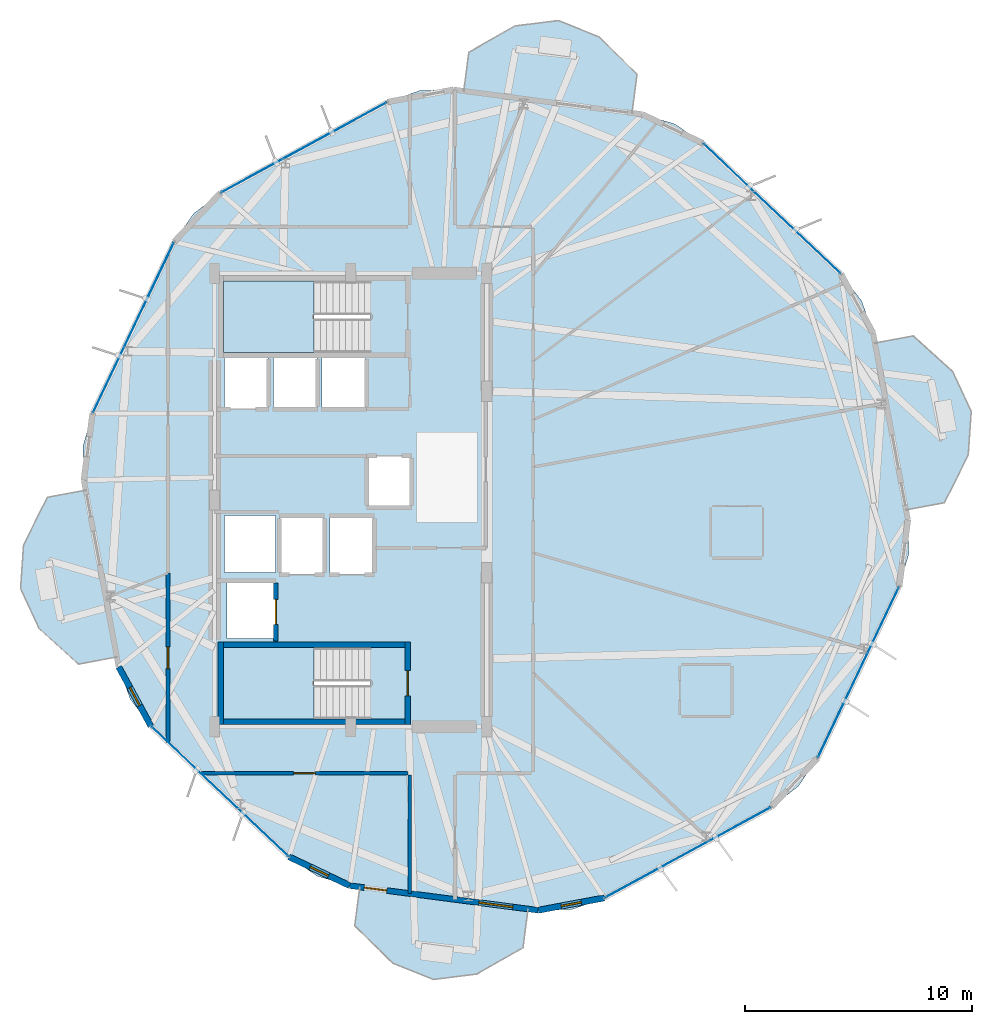
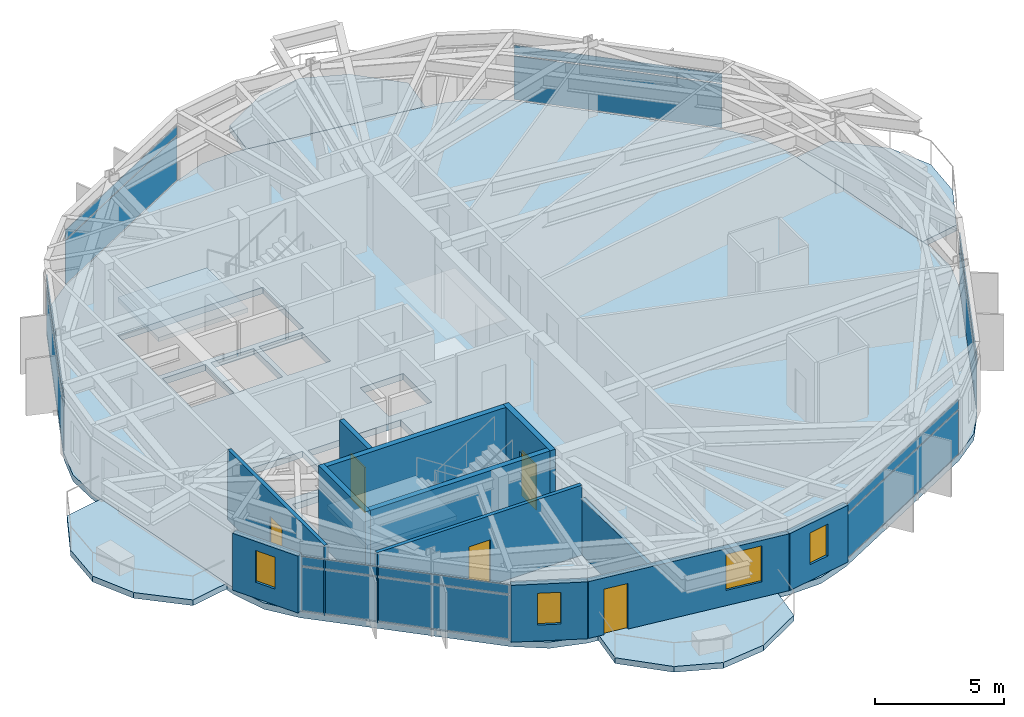
# One storey, part 17 of 23: 12 plates, 12 walls, 7 slabs, 5 doors, 4 windows, 9 openings, 8 elements without a shape of their own.
"""IFC4 building model written with IfcOpenShell, lengths in metres."""

from ifc_helpers import new_model, si_unit, direction, frame, frame_2d, origin, origin_2d, place, context, subcontext, project, spatial, polyline, rectangle, outline, extrude, material, layer, layer_set, type_object, element, fill, aggregate, save


model = new_model("IFC4")

# Units and contexts
model_context = context("Model", 3, precision=1e-05, world=origin(), true_north=direction((0.0, 1.0)))
body_context = subcontext(model_context, "Body", "Model", "MODEL_VIEW")
ifc_project = project(units=[si_unit("LENGTHUNIT", "METRE"), si_unit("AREAUNIT", "SQUARE_METRE"), si_unit("VOLUMEUNIT", "CUBIC_METRE"), si_unit("PLANEANGLEUNIT", "RADIAN"), si_unit("MASSUNIT", "GRAM", prefix="KILO")], contexts=[model_context])

# Site, building, storey
site_placement = place(None, origin())
site = spatial("IfcSite", under=ifc_project, at=site_placement, CompositionType="ELEMENT")
building_placement = place(site_placement, origin())
building = spatial("IfcBuilding", under=site, at=building_placement, Name="Soratama Intermodal Tower", CompositionType="ELEMENT")
storey_placement = place(building_placement, frame((0.0, 0.0, 139.0)))
storey = spatial("IfcBuildingStorey", under=building, at=storey_placement, Name="L33", CompositionType="ELEMENT", Elevation=139.0)

# Curtain wall, plates
ifc_material_1 = material(Name="Double-glazed aluminium curtain wall", Category="aluminium")
ifc_layer_1 = layer(ifc_material_1, 0.159912109375)
ifc_layer_set_1 = layer_set([ifc_layer_1], Name="Double-glazed aluminium curtain wall")
curtain_wall_type = type_object("IfcCurtainWallType", Name="CW-SYS-4", PredefinedType="NOTDEFINED", material=ifc_layer_set_1)
curtain_wall_1_placement = place(storey_placement, origin())
curtain_wall_1 = element("IfcCurtainWall", 1, at=curtain_wall_1_placement, inside=storey, type_object=curtain_wall_type, Name="L33 Faceted Curtain Wall F01", PredefinedType="NOTDEFINED")
ifc_material_2 = material(Name="Low-E laminated double glazing", Category="glass")
ifc_layer_2 = layer(ifc_material_2, 0.02392578125)
ifc_layer_set_2 = layer_set([ifc_layer_2], Name="Low-E laminated double glazing")
plate_type = type_object("IfcPlateType", Name="PT-CWP-4", PredefinedType="CURTAIN_PANEL", material=ifc_layer_set_2)
plate_1_placement = place(storey_placement, frame((57.163330078125, 37.84423828125, 0.06005859375), z_axis=(0.0, 0.0, 1.0), x_axis=(-0.726095406598, 0.687593964864, 0.0)))
plate_1 = element("IfcPlate", 2, at=plate_1_placement, type_object=plate_type, Name="CW-4 panel 1.1", PredefinedType="CURTAIN_PANEL", context=body_context, shape_type="SweptSolid", body=[
    extrude(rectangle(XDim=8.25634765625, YDim=0.028076171875, at=origin_2d()), origin(), (0.0, 0.0, 1.0), 2.06005859375),
])
plate_2_placement = place(storey_placement, frame((57.163330078125, 37.84423828125, 2.179931640625), z_axis=(0.0, 0.0, 1.0), x_axis=(-0.726095406598, 0.687593964864, 0.0)))
plate_2 = element("IfcPlate", 3, at=plate_2_placement, type_object=plate_type, Name="CW-4 panel 1.2", PredefinedType="CURTAIN_PANEL", context=body_context, shape_type="SweptSolid", body=[
    extrude(rectangle(XDim=8.25634765625, YDim=0.028076171875, at=origin_2d()), origin(), (0.0, 0.0, 1.0), 0.43896484375),
])
aggregate(curtain_wall_1, [plate_1, plate_2])

curtain_wall_2_placement = place(storey_placement, origin())
curtain_wall_2 = element("IfcCurtainWall", 4, at=curtain_wall_2_placement, inside=storey, type_object=curtain_wall_type, Name="L33 Faceted Curtain Wall F03", PredefinedType="NOTDEFINED")
plate_3_placement = place(storey_placement, frame((36.54296875, 40.537109375, 0.06005859375), z_axis=(0.0, 0.0, 1.0), x_axis=(-0.878314533912, -0.478083234928, 0.0)))
plate_3 = element("IfcPlate", 5, at=plate_3_placement, type_object=plate_type, Name="CW-4 panel 1.1", PredefinedType="CURTAIN_PANEL", context=body_context, shape_type="SweptSolid", body=[
    extrude(rectangle(XDim=8.256103515625, YDim=0.028076171875, at=origin_2d()), origin(), (0.0, 0.0, 1.0), 2.06005859375),
])
plate_4_placement = place(storey_placement, frame((36.54296875, 40.537109375, 2.179931640625), z_axis=(0.0, 0.0, 1.0), x_axis=(-0.878314533912, -0.478083234928, 0.0)))
plate_4 = element("IfcPlate", 6, at=plate_4_placement, type_object=plate_type, Name="CW-4 panel 1.2", PredefinedType="CURTAIN_PANEL", context=body_context, shape_type="SweptSolid", body=[
    extrude(rectangle(XDim=8.256103515625, YDim=0.028076171875, at=origin_2d()), origin(), (0.0, 0.0, 1.0), 0.43896484375),
])
aggregate(curtain_wall_2, [plate_3, plate_4])

curtain_wall_3_placement = place(storey_placement, origin())
curtain_wall_3 = element("IfcCurtainWall", 7, at=curtain_wall_3_placement, inside=storey, type_object=curtain_wall_type, Name="L33 Faceted Curtain Wall F04", PredefinedType="NOTDEFINED")
plate_5_placement = place(storey_placement, frame((29.025634765625, 32.598876953125, 0.06005859375), z_axis=(0.0, 0.0, 1.0), x_axis=(-0.429563270658, -0.903036763649, 0.0)))
plate_5 = element("IfcPlate", 8, at=plate_5_placement, type_object=plate_type, Name="CW-4 panel 1.1", PredefinedType="CURTAIN_PANEL", context=body_context, shape_type="SweptSolid", body=[
    extrude(rectangle(XDim=8.256103515625, YDim=0.028076171875, at=origin_2d()), origin(), (0.0, 0.0, 1.0), 2.06005859375),
])
plate_6_placement = place(storey_placement, frame((29.025634765625, 32.598876953125, 2.179931640625), z_axis=(0.0, 0.0, 1.0), x_axis=(-0.429563270658, -0.903036763649, 0.0)))
plate_6 = element("IfcPlate", 9, at=plate_6_placement, type_object=plate_type, Name="CW-4 panel 1.2", PredefinedType="CURTAIN_PANEL", context=body_context, shape_type="SweptSolid", body=[
    extrude(rectangle(XDim=8.256103515625, YDim=0.028076171875, at=origin_2d()), origin(), (0.0, 0.0, 1.0), 0.43896484375),
])
aggregate(curtain_wall_3, [plate_5, plate_6])

curtain_wall_4_placement = place(storey_placement, origin())
curtain_wall_4 = element("IfcCurtainWall", 10, at=curtain_wall_4_placement, inside=storey, type_object=curtain_wall_type, Name="L33 Faceted Curtain Wall F06", PredefinedType="NOTDEFINED")
plate_7_placement = place(storey_placement, frame((32.836669921875, 12.15576171875, 0.06005859375), z_axis=(0.0, 0.0, 1.0), x_axis=(0.726095406598, -0.687593964864, 0.0)))
plate_7 = element("IfcPlate", 11, at=plate_7_placement, type_object=plate_type, Name="CW-4 panel 1.1", PredefinedType="CURTAIN_PANEL", context=body_context, shape_type="SweptSolid", body=[
    extrude(rectangle(XDim=8.25634765625, YDim=0.028076171875, at=origin_2d()), origin(), (0.0, 0.0, 1.0), 2.06005859375),
])
plate_8_placement = place(storey_placement, frame((32.836669921875, 12.15576171875, 2.179931640625), z_axis=(0.0, 0.0, 1.0), x_axis=(0.726095406598, -0.687593964864, 0.0)))
plate_8 = element("IfcPlate", 12, at=plate_8_placement, type_object=plate_type, Name="CW-4 panel 1.2", PredefinedType="CURTAIN_PANEL", context=body_context, shape_type="SweptSolid", body=[
    extrude(rectangle(XDim=8.25634765625, YDim=0.028076171875, at=origin_2d()), origin(), (0.0, 0.0, 1.0), 0.43896484375),
])
aggregate(curtain_wall_4, [plate_7, plate_8])

curtain_wall_5_placement = place(storey_placement, origin())
curtain_wall_5 = element("IfcCurtainWall", 13, at=curtain_wall_5_placement, inside=storey, type_object=curtain_wall_type, Name="L33 Faceted Curtain Wall F08", PredefinedType="NOTDEFINED")
plate_9_placement = place(storey_placement, frame((53.45703125, 9.462890625, 0.06005859375), z_axis=(0.0, 0.0, 1.0), x_axis=(0.878314533912, 0.478083234928, 0.0)))
plate_9 = element("IfcPlate", 14, at=plate_9_placement, type_object=plate_type, Name="CW-4 panel 1.1", PredefinedType="CURTAIN_PANEL", context=body_context, shape_type="SweptSolid", body=[
    extrude(rectangle(XDim=8.256103515625, YDim=0.028076171875, at=origin_2d()), origin(), (0.0, 0.0, 1.0), 2.06005859375),
])
plate_10_placement = place(storey_placement, frame((53.45703125, 9.462890625, 2.179931640625), z_axis=(0.0, 0.0, 1.0), x_axis=(0.878314533912, 0.478083234928, 0.0)))
plate_10 = element("IfcPlate", 15, at=plate_10_placement, type_object=plate_type, Name="CW-4 panel 1.2", PredefinedType="CURTAIN_PANEL", context=body_context, shape_type="SweptSolid", body=[
    extrude(rectangle(XDim=8.256103515625, YDim=0.028076171875, at=origin_2d()), origin(), (0.0, 0.0, 1.0), 0.43896484375),
])
aggregate(curtain_wall_5, [plate_9, plate_10])

curtain_wall_6_placement = place(storey_placement, origin())
curtain_wall_6 = element("IfcCurtainWall", 16, at=curtain_wall_6_placement, inside=storey, type_object=curtain_wall_type, Name="L33 Faceted Curtain Wall F09", PredefinedType="NOTDEFINED")
plate_11_placement = place(storey_placement, frame((60.974365234375, 17.401123046875, 0.06005859375), z_axis=(0.0, 0.0, 1.0), x_axis=(0.429563270658, 0.903036763649, 0.0)))
plate_11 = element("IfcPlate", 17, at=plate_11_placement, type_object=plate_type, Name="CW-4 panel 1.1", PredefinedType="CURTAIN_PANEL", context=body_context, shape_type="SweptSolid", body=[
    extrude(rectangle(XDim=8.256103515625, YDim=0.028076171875, at=origin_2d()), origin(), (0.0, 0.0, 1.0), 2.06005859375),
])
plate_12_placement = place(storey_placement, frame((60.974365234375, 17.401123046875, 2.179931640625), z_axis=(0.0, 0.0, 1.0), x_axis=(0.429563270658, 0.903036763649, 0.0)))
plate_12 = element("IfcPlate", 18, at=plate_12_placement, type_object=plate_type, Name="CW-4 panel 1.2", PredefinedType="CURTAIN_PANEL", context=body_context, shape_type="SweptSolid", body=[
    extrude(rectangle(XDim=8.256103515625, YDim=0.028076171875, at=origin_2d()), origin(), (0.0, 0.0, 1.0), 0.43896484375),
])
aggregate(curtain_wall_6, [plate_11, plate_12])

# Slabs
ifc_material_3 = material(Name="Concrete f'c 42 MPa", Category="concrete")
ifc_layer_3 = layer(ifc_material_3, 0.27001953125)
ifc_layer_set_3 = layer_set([ifc_layer_3], Name="Concrete f'c 42 MPa")
slab_type_1 = type_object("IfcSlabType", Name="SL-EXT-BAL1", PredefinedType="FLOOR", material=ifc_layer_set_3)
slab_1_placement = place(storey_placement, frame((0.0, 0.0, -0.27001953125)))
element("IfcSlab", 19, at=slab_1_placement, inside=storey, type_object=slab_type_1, Name="L33 Planted Balcony East 1", PredefinedType="FLOOR", context=body_context, shape_type="SweptSolid", body=[
    extrude(outline(polyline([(63.0751953125, 24.567138671875), (61.705078125, 31.916748046875), (63.395751953125, 32.23193359375), (65.129638671875, 30.65380859375), (65.94873046875, 28.9052734375), (65.814697265625, 26.97900390625), (64.76611328125, 24.88232421875), (63.0751953125, 24.567138671875)])), origin(), (0.0, 0.0, 1.0), 0.27001953125),
])
slab_2_placement = place(storey_placement, frame((0.0, 0.0, -0.27001953125)))
element("IfcSlab", 20, at=slab_2_placement, inside=storey, type_object=slab_type_1, Name="L33 Planted Balcony North 2", PredefinedType="FLOOR", context=body_context, shape_type="SweptSolid", body=[
    extrude(outline(polyline([(50.997314453125, 42.056640625), (43.583984375, 43.024658203125), (43.806640625, 44.730224609375), (45.84326171875, 45.8916015625), (47.75927734375, 46.130126953125), (49.5498046875, 45.407470703125), (51.219970703125, 43.76220703125), (50.997314453125, 42.056640625)])), origin(), (0.0, 0.0, 1.0), 0.27001953125),
])
slab_3_placement = place(storey_placement, frame((0.0, 0.0, -0.27001953125)))
element("IfcSlab", 21, at=slab_3_placement, inside=storey, type_object=slab_type_1, Name="L33 Planted Balcony West 3", PredefinedType="FLOOR", context=body_context, shape_type="SweptSolid", body=[
    extrude(outline(polyline([(26.9248046875, 25.432861328125), (28.294921875, 18.083251953125), (26.604248046875, 17.76806640625), (24.870361328125, 19.34619140625), (24.05126953125, 21.0947265625), (24.185302734375, 23.02099609375), (25.23388671875, 25.11767578125), (26.9248046875, 25.432861328125)])), origin(), (0.0, 0.0, 1.0), 0.27001953125),
])
slab_4_placement = place(storey_placement, frame((0.0, 0.0, -0.27001953125)))
element("IfcSlab", 22, at=slab_4_placement, inside=storey, type_object=slab_type_1, Name="L33 Planted Balcony South 4", PredefinedType="FLOOR", context=body_context, shape_type="SweptSolid", body=[
    extrude(outline(polyline([(39.002685546875, 7.943359375), (46.416015625, 6.975341796875), (46.193359375, 5.269775390625), (44.15673828125, 4.1083984375), (42.24072265625, 3.869873046875), (40.4501953125, 4.592529296875), (38.780029296875, 6.23779296875), (39.002685546875, 7.943359375)])), origin(), (0.0, 0.0, 1.0), 0.27001953125),
])

# Stair, slab
ifc_material_4 = material(Name="Concrete f'c 42 MPa", Category="concrete")
stair_type = type_object("IfcStairType", Name="ST-CORE-DOGLEG", PredefinedType="HALF_TURN_STAIR", material=ifc_material_4)
stair_1_placement = place(storey_placement, origin())
stair_1 = element("IfcStair", 23, at=stair_1_placement, inside=storey, type_object=stair_type, Name="L33 ST-1", PredefinedType="HALF_TURN_STAIR")
ifc_material_5 = material(Name="Concrete f'c 42 MPa", Category="concrete")
ifc_layer_4 = layer(ifc_material_5, 0.219970703125)
ifc_layer_set_4 = layer_set([ifc_layer_4], Name="Concrete f'c 42 MPa")
slab_type_2 = type_object("IfcSlabType", Name="SL-STAIR-LAND", PredefinedType="LANDING", material=ifc_layer_set_4)
slab_5_placement = place(storey_placement, frame((0.0, 0.0, 1.60009765625)))
slab_5 = element("IfcSlab", 24, at=slab_5_placement, type_object=slab_type_2, Name="ST-1 landing 1", PredefinedType="LANDING", context=body_context, shape_type="SweptSolid", body=[
    extrude(outline(polyline([(36.97998046875, 18.5), (33.0, 18.5), (33.0, 15.35009765625), (36.97998046875, 15.35009765625), (36.97998046875, 18.5)])), origin(), (0.0, 0.0, 1.0), 0.199951171875),
])
aggregate(stair_1, [slab_5])

stair_2_placement = place(storey_placement, origin())
stair_2 = element("IfcStair", 25, at=stair_2_placement, inside=storey, type_object=stair_type, Name="L33 ST-2", PredefinedType="HALF_TURN_STAIR")
slab_6_placement = place(storey_placement, frame((0.0, 0.0, 1.60009765625)))
slab_6 = element("IfcSlab", 26, at=slab_6_placement, type_object=slab_type_2, Name="ST-2 landing 1", PredefinedType="LANDING", context=body_context, shape_type="SweptSolid", body=[
    extrude(outline(polyline([(36.97998046875, 34.64990234375), (33.0, 34.64990234375), (33.0, 31.5), (36.97998046875, 31.5), (36.97998046875, 34.64990234375)])), origin(), (0.0, 0.0, 1.0), 0.199951171875),
])
aggregate(stair_2, [slab_6])

# Slab
ifc_material_6 = material(Name="Concrete f'c 42 MPa", Category="concrete")
ifc_layer_5 = layer(ifc_material_6, 0.280029296875)
ifc_layer_set_5 = layer_set([ifc_layer_5], Name="Concrete f'c 42 MPa")
slab_type_3 = type_object("IfcSlabType", Name="SL-TWR-280", PredefinedType="FLOOR", material=ifc_layer_set_5)
slab_7_placement = place(storey_placement, frame((0.0, 0.0, -0.300048828125)))
element("IfcSlab", 27, at=slab_7_placement, inside=storey, type_object=slab_type_3, Name="L33 Structural Floor Slab", PredefinedType="FLOOR", context=body_context, shape_type="SweptSolid", body=[
    extrude(outline(polyline([(61.62255859375, 32.359130859375), (61.11962890625, 33.774169921875), (60.204345703125, 34.964599609375), (54.122314453125, 40.72412109375), (52.8837890625, 41.573486328125), (51.443359375, 41.998291015625), (43.1376953125, 43.0830078125), (41.636474609375, 43.0419921875), (40.221435546875, 42.539306640625), (32.864501953125, 38.534912109375), (31.674072265625, 37.619384765625), (30.82470703125, 36.380859375), (27.2265625, 28.81689453125), (26.801513671875, 27.37646484375), (26.84228515625, 25.875244140625), (28.37744140625, 17.640869140625), (28.88037109375, 16.225830078125), (29.795654296875, 15.035400390625), (35.877685546875, 9.27587890625), (37.1162109375, 8.426513671875), (38.556640625, 8.001708984375), (46.8623046875, 6.9169921875), (48.363525390625, 6.9580078125), (49.778564453125, 7.460693359375), (57.135498046875, 11.465087890625), (58.325927734375, 12.380615234375), (59.17529296875, 13.619140625), (62.7734375, 21.18310546875), (63.198486328125, 22.62353515625), (63.15771484375, 24.124755859375), (61.62255859375, 32.359130859375)]), holes=[polyline([(33.0, 18.5), (33.0, 15.35009765625), (39.47509765625, 15.35009765625), (39.47509765625, 18.5), (33.0, 18.5)]), polyline([(35.260009765625, 21.409912109375), (33.139892578125, 21.409912109375), (33.139892578125, 18.889892578125), (35.260009765625, 18.889892578125), (35.260009765625, 21.409912109375)]), polyline([(37.409912109375, 24.260009765625), (35.489990234375, 24.260009765625), (35.489990234375, 21.739990234375), (37.409912109375, 21.739990234375), (37.409912109375, 24.260009765625)]), polyline([(39.610107421875, 21.739990234375), (39.610107421875, 24.260009765625), (37.68994140625, 24.260009765625), (37.68994140625, 21.739990234375), (39.610107421875, 21.739990234375)]), polyline([(33.050048828125, 21.800048828125), (35.280029296875, 21.800048828125), (35.280029296875, 24.320068359375), (33.050048828125, 24.320068359375), (33.050048828125, 21.800048828125)]), polyline([(41.260009765625, 26.909912109375), (39.340087890625, 26.909912109375), (39.340087890625, 24.68994140625), (41.260009765625, 24.68994140625), (41.260009765625, 26.909912109375)]), polyline([(34.9599609375, 31.260009765625), (33.0400390625, 31.260009765625), (33.0400390625, 29.0400390625), (34.9599609375, 29.0400390625), (34.9599609375, 31.260009765625)]), polyline([(37.110107421875, 31.260009765625), (35.18994140625, 31.260009765625), (35.18994140625, 29.0400390625), (37.110107421875, 29.0400390625), (37.110107421875, 31.260009765625)]), polyline([(39.260009765625, 29.0400390625), (39.260009765625, 31.260009765625), (37.340087890625, 31.260009765625), (37.340087890625, 29.0400390625), (39.260009765625, 29.0400390625)]), polyline([(39.47509765625, 34.64990234375), (33.0, 34.64990234375), (33.0, 31.5), (39.47509765625, 31.5), (39.47509765625, 34.64990234375)])]), origin(), (0.0, 0.0, 1.0), 0.300048828125),
])

# Wall, openings, door, window
ifc_material_7 = material(Name="Concrete f'c 42 MPa", Category="concrete")
ifc_layer_6 = layer(ifc_material_7, 0.25)
ifc_layer_set_6 = layer_set([ifc_layer_6], Name="Concrete f'c 42 MPa")
wall_type_1 = type_object("IfcWallType", Name="EW-BAL-250", PredefinedType="SOLIDWALL", material=ifc_layer_set_6)
wall_1_placement = place(storey_placement, frame((38.556640625, 8.001708984375, 0.0), z_axis=(0.0, 0.0, 1.0), x_axis=(0.991579431853, -0.129499924037, 0.0)))
wall_1 = element("IfcWall", 28, at=wall_1_placement, inside=storey, type_object=wall_type_1, Name="L33 Terrace Wall F07", PredefinedType="SOLIDWALL", context=body_context, shape_type="SweptSolid", body=[
    extrude(rectangle(XDim=8.376220703125, YDim=0.25, at=frame_2d((4.18798828125, 0.0))), origin(), (0.0, 0.0, 1.0), 2.678955078125),
])
opening_1_placement = place(wall_1_placement, frame((0.64990234375, 0.0, 0.0)))
opening_1 = element("IfcOpeningElement", 29, at=opening_1_placement, cuts=wall_1, Name="Opening ED-2", PredefinedType="OPENING", context=body_context, shape_type="SweptSolid", body=[
    extrude(rectangle(XDim=1.0, YDim=2.14990234375, at=frame_2d((0.5, 1.074951171875))), frame((0.0, 0.135009765625, 0.0), z_axis=(0.0, -1.0, 0.0), x_axis=(1.0, 0.0, 0.0)), (0.0, 0.0, 1.0), 0.27001953125),
])
opening_2_placement = place(wall_1_placement, frame((5.7451171875, 0.0, 0.719970703125)))
opening_2 = element("IfcOpeningElement", 30, at=opening_2_placement, cuts=wall_1, Name="Opening WN-1", PredefinedType="OPENING", context=body_context, shape_type="SweptSolid", body=[
    extrude(rectangle(XDim=1.5, YDim=1.699951171875, at=frame_2d((0.75, 0.85009765625))), frame((0.0, 0.135009765625, 0.0), z_axis=(0.0, -1.0, 0.0), x_axis=(1.0, 0.0, 0.0)), (0.0, 0.0, 1.0), 0.27001953125),
])
ifc_material_8 = material(Name="Double-glazed aluminium door", Category="aluminium")
door_type_1 = type_object("IfcDoorType", Name="DR-BAL-1000", OperationType="NOTDEFINED", PredefinedType="DOOR", material=ifc_material_8)
door_1_placement = place(opening_1_placement, origin())
door_1 = element("IfcDoor", 31, at=door_1_placement, inside=storey, type_object=door_type_1, Name="L33 Balcony Door F07", OperationType="SINGLE_SWING_LEFT", OverallHeight=2.14990234375, OverallWidth=1.0, PredefinedType="DOOR", context=body_context, shape_type="SweptSolid", body=[
    extrude(rectangle(XDim=1.0, YDim=2.14990234375, at=frame_2d((0.5, 1.074951171875))), frame((0.0, 0.02490234375, 0.0), z_axis=(0.0, -1.0, 0.0), x_axis=(1.0, 0.0, 0.0)), (0.0, 0.0, 1.0), 0.050048828125),
])
fill(opening_1, door_1)
ifc_material_9 = material(Name="Double-glazed aluminium window", Category="aluminium")
window_type_1 = type_object("IfcWindowType", Name="WN-FAC-1500", PartitioningType="SINGLE_PANEL", PredefinedType="WINDOW", material=ifc_material_9)
window_1_placement = place(opening_2_placement, origin())
window_1 = element("IfcWindow", 32, at=window_1_placement, inside=storey, type_object=window_type_1, Name="L33 Window B F07", OverallHeight=1.699951171875, OverallWidth=1.5, PartitioningType="SINGLE_PANEL", PredefinedType="WINDOW", context=body_context, shape_type="SweptSolid", body=[
    extrude(rectangle(XDim=1.5, YDim=1.699951171875, at=frame_2d((0.75, 0.85009765625))), frame((0.0, 0.030029296875, 0.0), z_axis=(0.0, -1.0, 0.0), x_axis=(1.0, 0.0, 0.0)), (0.0, 0.0, 1.0), 0.06005859375),
])
fill(opening_2, window_1)

# Wall, opening, window
ifc_material_10 = material(Name="Concrete f'c 42 MPa", Category="concrete")
ifc_layer_7 = layer(ifc_material_10, 0.27001953125)
ifc_layer_set_7 = layer_set([ifc_layer_7], Name="Concrete f'c 42 MPa")
wall_type_2 = type_object("IfcWallType", Name="EW-CRN-270", PredefinedType="SOLIDWALL", material=ifc_layer_set_7)
wall_2_placement = place(storey_placement, frame((28.37744140625, 17.640869140625, 0.0), z_axis=(0.0, 0.0, 1.0), x_axis=(0.478085030824, -0.878313556369, 0.0)))
wall_2 = element("IfcWall", 33, at=wall_2_placement, inside=storey, type_object=wall_type_2, Name="L33 Corner Closure Wall 05", PredefinedType="SOLIDWALL", context=body_context, shape_type="SweptSolid", body=[
    extrude(rectangle(XDim=2.966552734375, YDim=0.27001953125, at=frame_2d((1.4833984375, 0.0))), origin(), (0.0, 0.0, 1.0), 2.678955078125),
])
opening_3_placement = place(wall_2_placement, frame((1.033203125, 0.0, 0.75)))
opening_3 = element("IfcOpeningElement", 34, at=opening_3_placement, cuts=wall_2, Name="Opening WN-6", PredefinedType="OPENING", context=body_context, shape_type="SweptSolid", body=[
    extrude(rectangle(XDim=0.89990234375, YDim=1.5, at=frame_2d((0.449951171875, 0.75))), frame((0.0, 0.14501953125, 0.0), z_axis=(0.0, -1.0, 0.0), x_axis=(1.0, 0.0, 0.0)), (0.0, 0.0, 1.0), 0.2900390625),
])
ifc_material_11 = material(Name="Double-glazed aluminium window", Category="aluminium")
window_type_2 = type_object("IfcWindowType", Name="WN-FAC-900", PartitioningType="SINGLE_PANEL", PredefinedType="WINDOW", material=ifc_material_11)
window_2_placement = place(opening_3_placement, origin())
window_2 = element("IfcWindow", 35, at=window_2_placement, inside=storey, type_object=window_type_2, Name="L33 Corner Window 05", OverallHeight=1.5, OverallWidth=0.89990234375, PartitioningType="SINGLE_PANEL", PredefinedType="WINDOW", context=body_context, shape_type="SweptSolid", body=[
    extrude(rectangle(XDim=0.89990234375, YDim=1.5, at=frame_2d((0.449951171875, 0.75))), frame((0.0, 0.030029296875, 0.0), z_axis=(0.0, -1.0, 0.0), x_axis=(1.0, 0.0, 0.0)), (0.0, 0.0, 1.0), 0.06005859375),
])
fill(opening_3, window_2)

wall_3_placement = place(storey_placement, frame((35.877685546875, 9.27587890625, 0.0), z_axis=(0.0, 0.0, 1.0), x_axis=(0.903059702478, -0.429515044859, 0.0)))
wall_3 = element("IfcWall", 36, at=wall_3_placement, inside=storey, type_object=wall_type_2, Name="L33 Corner Closure Wall 06", PredefinedType="SOLIDWALL", context=body_context, shape_type="SweptSolid", body=[
    extrude(rectangle(XDim=2.966552734375, YDim=0.27001953125, at=frame_2d((1.4833984375, 0.0))), origin(), (0.0, 0.0, 1.0), 2.678955078125),
])
opening_4_placement = place(wall_3_placement, frame((1.033203125, 0.0, 0.75)))
opening_4 = element("IfcOpeningElement", 37, at=opening_4_placement, cuts=wall_3, Name="Opening WN-6", PredefinedType="OPENING", context=body_context, shape_type="SweptSolid", body=[
    extrude(rectangle(XDim=0.89990234375, YDim=1.5, at=frame_2d((0.449951171875, 0.75))), frame((0.0, 0.14501953125, 0.0), z_axis=(0.0, -1.0, 0.0), x_axis=(1.0, 0.0, 0.0)), (0.0, 0.0, 1.0), 0.2900390625),
])
window_3_placement = place(opening_4_placement, origin())
window_3 = element("IfcWindow", 38, at=window_3_placement, inside=storey, type_object=window_type_2, Name="L33 Corner Window 06", OverallHeight=1.5, OverallWidth=0.89990234375, PartitioningType="SINGLE_PANEL", PredefinedType="WINDOW", context=body_context, shape_type="SweptSolid", body=[
    extrude(rectangle(XDim=0.89990234375, YDim=1.5, at=frame_2d((0.449951171875, 0.75))), frame((0.0, 0.030029296875, 0.0), z_axis=(0.0, -1.0, 0.0), x_axis=(1.0, 0.0, 0.0)), (0.0, 0.0, 1.0), 0.06005859375),
])
fill(opening_4, window_3)

wall_4_placement = place(storey_placement, frame((46.8623046875, 6.9169921875, 0.0), z_axis=(0.0, 0.0, 1.0), x_axis=(0.983060801599, 0.183279732538, 0.0)))
wall_4 = element("IfcWall", 39, at=wall_4_placement, inside=storey, type_object=wall_type_2, Name="L33 Corner Closure Wall 07", PredefinedType="SOLIDWALL", context=body_context, shape_type="SweptSolid", body=[
    extrude(rectangle(XDim=2.966552734375, YDim=0.27001953125, at=frame_2d((1.4833984375, 0.0))), origin(), (0.0, 0.0, 1.0), 2.678955078125),
])
opening_5_placement = place(wall_4_placement, frame((1.033203125, 0.0, 0.75)))
opening_5 = element("IfcOpeningElement", 40, at=opening_5_placement, cuts=wall_4, Name="Opening WN-6", PredefinedType="OPENING", context=body_context, shape_type="SweptSolid", body=[
    extrude(rectangle(XDim=0.89990234375, YDim=1.5, at=frame_2d((0.449951171875, 0.75))), frame((0.0, 0.14501953125, 0.0), z_axis=(0.0, -1.0, 0.0), x_axis=(1.0, 0.0, 0.0)), (0.0, 0.0, 1.0), 0.2900390625),
])
window_4_placement = place(opening_5_placement, origin())
window_4 = element("IfcWindow", 41, at=window_4_placement, inside=storey, type_object=window_type_2, Name="L33 Corner Window 07", OverallHeight=1.5, OverallWidth=0.89990234375, PartitioningType="SINGLE_PANEL", PredefinedType="WINDOW", context=body_context, shape_type="SweptSolid", body=[
    extrude(rectangle(XDim=0.89990234375, YDim=1.5, at=frame_2d((0.449951171875, 0.75))), frame((0.0, 0.030029296875, 0.0), z_axis=(0.0, -1.0, 0.0), x_axis=(1.0, 0.0, 0.0)), (0.0, 0.0, 1.0), 0.06005859375),
])
fill(opening_5, window_4)

# Wall, opening, door
ifc_material_12 = material(Name="Fire-rated gypsum stud partition", Category="concrete")
ifc_layer_8 = layer(ifc_material_12, 0.159912109375)
ifc_layer_set_8 = layer_set([ifc_layer_8], Name="Fire-rated gypsum stud partition")
wall_type_3 = type_object("IfcWallType", Name="IW-PART-R160", PredefinedType="PARTITIONING", material=ifc_layer_set_8)
wall_5_placement = place(storey_placement, frame((41.1298828125, 12.949951171875, 0.0), z_axis=(0.0, 0.0, 1.0), x_axis=(-1.0, 0.0, 0.0)))
wall_5 = element("IfcWall", 42, at=wall_5_placement, inside=storey, type_object=wall_type_3, Name="L33 Partition W-L33-TP007", PredefinedType="PARTITIONING", context=body_context, shape_type="SweptSolid", body=[
    extrude(rectangle(XDim=9.1318359375, YDim=0.159912109375, at=frame_2d((4.56591796875, 0.0))), origin(), (0.0, 0.0, 1.0), 3.300048828125),
])
opening_6_placement = place(wall_5_placement, frame((4.091064453125, 0.0, 0.0)))
opening_6 = element("IfcOpeningElement", 43, at=opening_6_placement, cuts=wall_5, Name="Opening ID-3", PredefinedType="OPENING", context=body_context, shape_type="SweptSolid", body=[
    extrude(rectangle(XDim=0.949951171875, YDim=2.14990234375, at=frame_2d((0.47509765625, 1.074951171875))), frame((0.0, 0.08984375, 0.0), z_axis=(0.0, -1.0, 0.0), x_axis=(1.0, 0.0, 0.0)), (0.0, 0.0, 1.0), 0.179931640625),
])
ifc_material_13 = material(Name="Solid hardwood acoustic door", Category="wood")
door_type_2 = type_object("IfcDoorType", Name="DR-ROOM-950", OperationType="NOTDEFINED", PredefinedType="DOOR", material=ifc_material_13)
door_2_placement = place(opening_6_placement, origin())
door_2 = element("IfcDoor", 44, at=door_2_placement, inside=storey, type_object=door_type_2, Name="L33 Door D-L33-TP002", OperationType="SINGLE_SWING_LEFT", OverallHeight=2.14990234375, OverallWidth=0.949951171875, PredefinedType="DOOR", context=body_context, shape_type="SweptSolid", body=[
    extrude(rectangle(XDim=0.949951171875, YDim=2.14990234375, at=frame_2d((0.47509765625, 1.074951171875))), frame((0.0, 0.02490234375, 0.0), z_axis=(0.0, -1.0, 0.0), x_axis=(1.0, 0.0, 0.0)), (0.0, 0.0, 1.0), 0.050048828125),
])
fill(opening_6, door_2)

wall_6_placement = place(storey_placement, frame((30.550048828125, 14.321044921875, 0.0), z_axis=(0.0, 0.0, 1.0), x_axis=(0.0, 1.0, 0.0)))
wall_6 = element("IfcWall", 45, at=wall_6_placement, inside=storey, type_object=wall_type_3, Name="L33 Partition W-L33-TP009", PredefinedType="PARTITIONING", context=body_context, shape_type="SweptSolid", body=[
    extrude(rectangle(XDim=7.45703125, YDim=0.159912109375, at=frame_2d((3.728515625, 0.0))), origin(), (0.0, 0.0, 1.0), 3.300048828125),
])
opening_7_placement = place(wall_6_placement, frame((3.2529296875, 0.0, 0.0)))
opening_7 = element("IfcOpeningElement", 46, at=opening_7_placement, cuts=wall_6, Name="Opening ID-3", PredefinedType="OPENING", context=body_context, shape_type="SweptSolid", body=[
    extrude(rectangle(XDim=0.949951171875, YDim=2.14990234375, at=frame_2d((0.47509765625, 1.074951171875))), frame((0.0, 0.08984375, 0.0), z_axis=(0.0, -1.0, 0.0), x_axis=(1.0, 0.0, 0.0)), (0.0, 0.0, 1.0), 0.179931640625),
])
door_3_placement = place(opening_7_placement, origin())
door_3 = element("IfcDoor", 47, at=door_3_placement, inside=storey, type_object=door_type_2, Name="L33 Door D-L33-TP003", OperationType="SINGLE_SWING_RIGHT", OverallHeight=2.14990234375, OverallWidth=0.949951171875, PredefinedType="DOOR", context=body_context, shape_type="SweptSolid", body=[
    extrude(rectangle(XDim=0.949951171875, YDim=2.14990234375, at=frame_2d((0.47509765625, 1.074951171875))), frame((0.0, 0.02490234375, 0.0), z_axis=(0.0, -1.0, 0.0), x_axis=(1.0, 0.0, 0.0)), (0.0, 0.0, 1.0), 0.050048828125),
])
fill(opening_7, door_3)

# Wall
wall_7_placement = place(storey_placement, frame((41.199951171875, 7.656005859375, 0.0), z_axis=(0.0, 0.0, 1.0), x_axis=(0.0, 1.0, 0.0)))
element("IfcWall", 48, at=wall_7_placement, inside=storey, type_object=wall_type_3, Name="L33 Partition W-L33-TP017", PredefinedType="PARTITIONING", context=body_context, shape_type="SweptSolid", body=[
    extrude(rectangle(XDim=5.223876953125, YDim=0.159912109375, at=frame_2d((2.61181640625, 0.0))), origin(), (0.0, 0.0, 1.0), 2.674072265625),
])

# Wall, opening, door
ifc_material_14 = material(Name="Concrete f'c 42 MPa", Category="concrete")
ifc_layer_9 = layer(ifc_material_14, 0.199951171875)
ifc_layer_set_9 = layer_set([ifc_layer_9], Name="Concrete f'c 42 MPa")
wall_type_4 = type_object("IfcWallType", Name="IW-SHAFT-200", PredefinedType="SOLIDWALL", material=ifc_layer_set_9)
wall_8_placement = place(storey_placement, frame((35.300048828125, 18.7900390625, 0.0), z_axis=(0.0, 0.0, 1.0), x_axis=(0.0, 1.0, 0.0)))
wall_8 = element("IfcWall", 49, at=wall_8_placement, inside=storey, type_object=wall_type_4, Name="L33 SVL-1 Hoistway Wall E", PredefinedType="SOLIDWALL", context=body_context, shape_type="SweptSolid", body=[
    extrude(rectangle(XDim=2.550048828125, YDim=0.199951171875, at=frame_2d((1.27490234375, 0.0))), origin(), (0.0, 0.0, 1.0), 3.300048828125),
])
opening_8_placement = place(wall_8_placement, frame((0.72509765625, 0.0, 0.0)))
opening_8 = element("IfcOpeningElement", 50, at=opening_8_placement, cuts=wall_8, Name="Opening LD-1", PredefinedType="OPENING", context=body_context, shape_type="SweptSolid", body=[
    extrude(rectangle(XDim=1.10009765625, YDim=2.14990234375, at=frame_2d((0.550048828125, 1.074951171875))), frame((0.0, 0.10986328125, 0.0), z_axis=(0.0, -1.0, 0.0), x_axis=(1.0, 0.0, 0.0)), (0.0, 0.0, 1.0), 0.219970703125),
])
ifc_material_15 = material(Name="Steel fire door", Category="steel")
door_type_3 = type_object("IfcDoorType", Name="DR-LIFT-SLIDE", OperationType="NOTDEFINED", PredefinedType="DOOR", material=ifc_material_15)
door_4_placement = place(opening_8_placement, origin())
door_4 = element("IfcDoor", 51, at=door_4_placement, inside=storey, type_object=door_type_3, Name="L33 SVL-1 Sliding Landing Door", OperationType="SLIDING_TO_LEFT", OverallHeight=2.14990234375, OverallWidth=1.10009765625, PredefinedType="DOOR", context=body_context, shape_type="SweptSolid", body=[
    extrude(rectangle(XDim=1.10009765625, YDim=2.14990234375, at=frame_2d((0.550048828125, 1.074951171875))), frame((0.0, 0.02490234375, 0.0), z_axis=(0.0, -1.0, 0.0), x_axis=(1.0, 0.0, 0.0)), (0.0, 0.0, 1.0), 0.050048828125),
])
fill(opening_8, door_4)

# Wall
ifc_material_16 = material(Name="Concrete f'c 56 MPa", Category="concrete")
ifc_layer_10 = layer(ifc_material_16, 0.239990234375)
ifc_layer_set_10 = layer_set([ifc_layer_10], Name="Concrete f'c 56 MPa")
wall_type_5 = type_object("IfcWallType", Name="SW-STAIR-240", PredefinedType="SHEAR", material=ifc_layer_set_10)
wall_9_placement = place(storey_placement, frame((32.8798828125, 15.110107421875, 0.0), z_axis=(0.0, 0.0, 1.0), x_axis=(0.0, 1.0, 0.0)))
element("IfcWall", 52, at=wall_9_placement, inside=storey, type_object=wall_type_5, Name="L33 ST-1 Shaft Shear Wall W", PredefinedType="SHEAR", context=body_context, shape_type="SweptSolid", body=[
    extrude(rectangle(XDim=3.6298828125, YDim=0.239990234375, at=frame_2d((1.81494140625, 0.0))), origin(), (0.0, 0.0, 1.0), 3.60009765625),
])

# Wall, opening, door
wall_10_placement = place(storey_placement, frame((41.1201171875, 15.110107421875, 0.0), z_axis=(0.0, 0.0, 1.0), x_axis=(0.0, 1.0, 0.0)))
wall_10 = element("IfcWall", 53, at=wall_10_placement, inside=storey, type_object=wall_type_5, Name="L33 ST-1 Shaft Shear Wall E", PredefinedType="SHEAR", context=body_context, shape_type="SweptSolid", body=[
    extrude(rectangle(XDim=3.6298828125, YDim=0.239990234375, at=frame_2d((1.81494140625, 0.0))), origin(), (0.0, 0.0, 1.0), 3.60009765625),
])
opening_9_placement = place(wall_10_placement, frame((1.2548828125, 0.0, 0.0)))
opening_9 = element("IfcOpeningElement", 54, at=opening_9_placement, cuts=wall_10, Name="Opening SD-1", PredefinedType="OPENING", context=body_context, shape_type="SweptSolid", body=[
    extrude(rectangle(XDim=1.1201171875, YDim=2.14990234375, at=frame_2d((0.56005859375, 1.074951171875))), frame((0.0, 0.1298828125, 0.0), z_axis=(0.0, -1.0, 0.0), x_axis=(1.0, 0.0, 0.0)), (0.0, 0.0, 1.0), 0.260009765625),
])
ifc_material_17 = material(Name="Steel fire door", Category="steel")
door_type_4 = type_object("IfcDoorType", Name="DR-STAIR-FD90", OperationType="NOTDEFINED", PredefinedType="DOOR", material=ifc_material_17)
door_5_placement = place(opening_9_placement, origin())
door_5 = element("IfcDoor", 55, at=door_5_placement, inside=storey, type_object=door_type_4, Name="L33 ST-1 Exit Stair Door", OperationType="SINGLE_SWING_LEFT", OverallHeight=2.14990234375, OverallWidth=1.1201171875, PredefinedType="DOOR", context=body_context, shape_type="SweptSolid", body=[
    extrude(rectangle(XDim=1.1201171875, YDim=2.14990234375, at=frame_2d((0.56005859375, 1.074951171875))), frame((0.0, 0.02490234375, 0.0), z_axis=(0.0, -1.0, 0.0), x_axis=(1.0, 0.0, 0.0)), (0.0, 0.0, 1.0), 0.050048828125),
])
fill(opening_9, door_5)

# Walls
for number, where, z_axis, x_axis, name in (
    (56, (33.0, 15.22998046875, 0.0), (0.0, 0.0, 1.0), (1.0, 0.0, 0.0), "L33 ST-1 Shaft Shear Wall S"),
    (57, (33.0, 18.6201171875, 0.0), (0.0, 0.0, 1.0), (1.0, 0.0, 0.0), "L33 ST-1 Shaft Shear Wall N"),
):
    element("IfcWall", number, at=place(storey_placement, frame(where, z_axis=z_axis, x_axis=x_axis)), inside=storey, type_object=wall_type_5, Name=name, PredefinedType="SHEAR", context=body_context, shape_type="SweptSolid", body=[
        extrude(rectangle(XDim=8.0, YDim=0.239990234375, at=frame_2d((4.0, 0.0))), origin(), (0.0, 0.0, 1.0), 3.60009765625),
    ])

save(model, "model.ifc")
